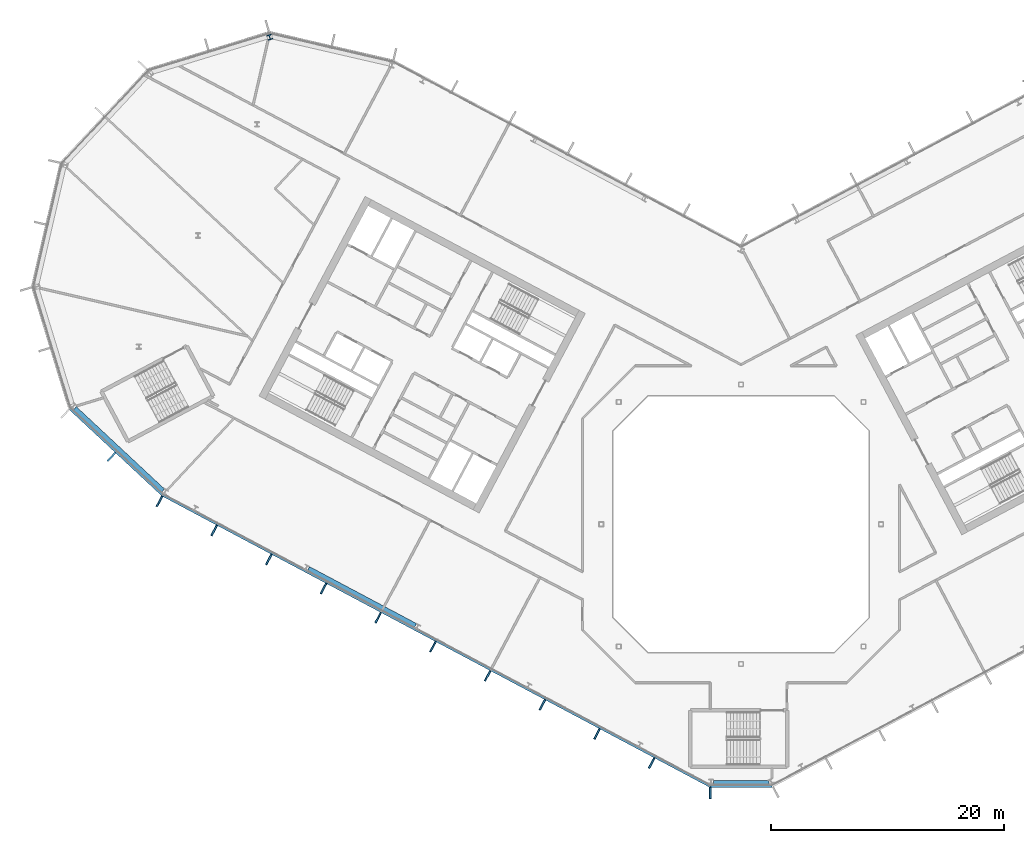
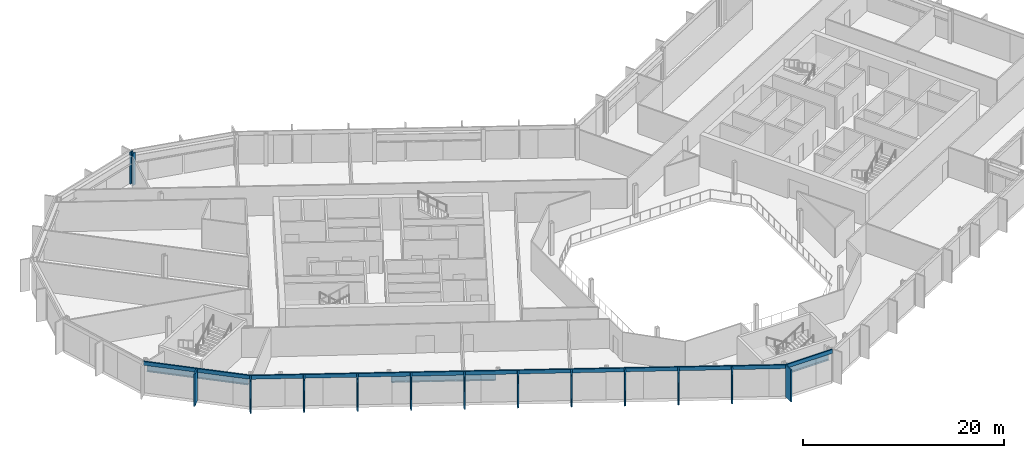
# One storey, part 8 of 27: 15 members, 3 beams, 1 column, 3 elements without a shape of their own.
"""IFC4 building model written with IfcOpenShell, lengths in metres."""

from ifc_helpers import new_model, si_unit, direction, frame, origin, origin_2d, place, context, subcontext, project, spatial, rectangle, i_section, extrude, material, layer, layer_set, material_profile, profile_set, type_object, element, aggregate, save


model = new_model("IFC4")

# Units and contexts
model_context = context("Model", 3, precision=1e-05, world=origin(), true_north=direction((0.0, 1.0)))
body_context = subcontext(model_context, "Body", "Model", "MODEL_VIEW")
ifc_project = project(units=[si_unit("LENGTHUNIT", "METRE"), si_unit("AREAUNIT", "SQUARE_METRE"), si_unit("VOLUMEUNIT", "CUBIC_METRE"), si_unit("PLANEANGLEUNIT", "RADIAN"), si_unit("MASSUNIT", "GRAM", prefix="KILO")], contexts=[model_context])

# Site, building, storey
site_placement = place(None, origin())
site = spatial("IfcSite", under=ifc_project, at=site_placement, CompositionType="ELEMENT")
building_placement = place(site_placement, origin())
building = spatial("IfcBuilding", under=site, at=building_placement, Name="Cormorant Relay Tower", CompositionType="ELEMENT")
storey_placement = place(building_placement, frame((0.0, 0.0, 216.89990234375)))
storey = spatial("IfcBuildingStorey", under=building, at=storey_placement, Name="L47", CompositionType="ELEMENT", Elevation=216.89990234375)

# Column
ifc_material_1 = material(Name="Steel ASTM A992 (Fy 345 MPa)", Category="steel")
ifc_material_profile_1 = material_profile(ifc_material_1, i_section(OverallWidth=0.41162109375, OverallDepth=0.434326171875, WebThickness=0.035888671875, FlangeThickness=0.057373046875, FilletRadius=0.01513671875, at=origin_2d()), Name="W360x463")
ifc_profile_set_1 = profile_set([ifc_material_profile_1], Name="Steel ASTM A992 (Fy 345 MPa)")
column_type = type_object("IfcColumnType", Name="Column W360x463", PredefinedType="COLUMN", material=ifc_profile_set_1)
column_placement = place(storey_placement, frame((-40.455078125, 41.803955078125, 0.0), z_axis=(0.0, 0.0, 1.0), x_axis=(-0.956304755963, -0.292371704723, 0.0)))
element("IfcColumn", 1, at=column_placement, inside=storey, type_object=column_type, Name="Column L47-045", PredefinedType="COLUMN", context=body_context, shape_type="SweptSolid", body=[
    extrude(i_section(OverallWidth=0.41162109375, OverallDepth=0.434326171875, WebThickness=0.035888671875, FlangeThickness=0.057373046875, FilletRadius=0.01513671875, at=origin_2d()), origin(), (0.0, 0.0, 1.0), 3.900146484375),
])

# Curtain wall, member
ifc_material_2 = material(Name="Aluminium 6063-T6 anodised bronze", Category="aluminium")
ifc_layer = layer(ifc_material_2, 0.199951171875)
ifc_layer_set = layer_set([ifc_layer], Name="CW1 unitised bronze curtain wall with vertical fins")
curtain_wall_type = type_object("IfcCurtainWallType", Name="CW1 unitised bronze curtain wall with vertical fins", PredefinedType="NOTDEFINED", material=ifc_layer_set)
curtain_wall_1_placement = place(storey_placement, origin())
curtain_wall_1 = element("IfcCurtainWall", 2, at=curtain_wall_1_placement, inside=storey, type_object=curtain_wall_type, Name="CW1 curtain wall 1", PredefinedType="NOTDEFINED")
ifc_material_3 = material(Name="Aluminium 6063-T6 anodised bronze", Category="aluminium")
ifc_material_profile_2 = material_profile(ifc_material_3, rectangle(XDim=0.14990234375, YDim=1.0, at=origin_2d()), Name="AL 150x1000")
ifc_profile_set_2 = profile_set([ifc_material_profile_2], Name="Aluminium 6063-T6 anodised bronze")
member_type_1 = type_object("IfcMemberType", Name="CW1 bronze fin mullion 150 x 1000", PredefinedType="MULLION", material=ifc_profile_set_2)
member_1_placement = place(storey_placement, frame((-2.648681640625, -23.07568359375, 0.0), z_axis=(0.0, 0.0, 1.0), x_axis=(1.0, 0.0, 0.0)))
member_1 = element("IfcMember", 3, at=member_1_placement, type_object=member_type_1, Name="CW1 fin 1.1", PredefinedType="MULLION", context=body_context, shape_type="SweptSolid", body=[
    extrude(rectangle(XDim=0.14990234375, YDim=1.0, at=origin_2d()), origin(), (0.0, 0.0, 1.0), 3.900146484375),
])

curtain_wall_2_placement = place(storey_placement, origin())
curtain_wall_2 = element("IfcCurtainWall", 4, at=curtain_wall_2_placement, inside=storey, type_object=curtain_wall_type, Name="CW1 curtain wall 15", PredefinedType="NOTDEFINED")
member_2_placement = place(storey_placement, frame((-54.0439453125, 5.779296875, 0.0), z_axis=(0.0, 0.0, 1.0), x_axis=(0.731353701619, -0.681998360062, 0.0)))
member_2 = element("IfcMember", 5, at=member_2_placement, type_object=member_type_1, Name="CW1 fin 15.2", PredefinedType="MULLION", context=body_context, shape_type="SweptSolid", body=[
    extrude(rectangle(XDim=0.14990234375, YDim=1.0, at=origin_2d()), origin(), (0.0, 0.0, 1.0), 3.900146484375),
])

# Curtain wall, members
curtain_wall_3_placement = place(storey_placement, origin())
curtain_wall_3 = element("IfcCurtainWall", 6, at=curtain_wall_3_placement, inside=storey, type_object=curtain_wall_type, Name="CW1 curtain wall 16", PredefinedType="NOTDEFINED")
member_3_placement = place(storey_placement, frame((-49.920166015625, 1.96630859375, 0.0), z_axis=(0.0, 0.0, 1.0), x_axis=(0.882947592859, -0.469471562786, 0.0)))
member_3 = element("IfcMember", 7, at=member_3_placement, type_object=member_type_1, Name="CW1 fin 16.1", PredefinedType="MULLION", context=body_context, shape_type="SweptSolid", body=[
    extrude(rectangle(XDim=0.14990234375, YDim=1.0, at=origin_2d()), origin(), (0.0, 0.0, 1.0), 3.900146484375),
])
member_4_placement = place(storey_placement, frame((-45.225830078125, -0.52978515625, 0.0), z_axis=(0.0, 0.0, 1.0), x_axis=(0.882947592859, -0.469471562786, 0.0)))
member_4 = element("IfcMember", 8, at=member_4_placement, type_object=member_type_1, Name="CW1 fin 16.2", PredefinedType="MULLION", context=body_context, shape_type="SweptSolid", body=[
    extrude(rectangle(XDim=0.14990234375, YDim=1.0, at=origin_2d()), origin(), (0.0, 0.0, 1.0), 3.900146484375),
])
member_5_placement = place(storey_placement, frame((-40.531494140625, -3.025634765625, 0.0), z_axis=(0.0, 0.0, 1.0), x_axis=(0.882947592859, -0.469471562786, 0.0)))
member_5 = element("IfcMember", 9, at=member_5_placement, type_object=member_type_1, Name="CW1 fin 16.3", PredefinedType="MULLION", context=body_context, shape_type="SweptSolid", body=[
    extrude(rectangle(XDim=0.14990234375, YDim=1.0, at=origin_2d()), origin(), (0.0, 0.0, 1.0), 3.900146484375),
])
member_6_placement = place(storey_placement, frame((-35.83740234375, -5.521728515625, 0.0), z_axis=(0.0, 0.0, 1.0), x_axis=(0.882947592859, -0.469471562786, 0.0)))
member_6 = element("IfcMember", 10, at=member_6_placement, type_object=member_type_1, Name="CW1 fin 16.4", PredefinedType="MULLION", context=body_context, shape_type="SweptSolid", body=[
    extrude(rectangle(XDim=0.14990234375, YDim=1.0, at=origin_2d()), origin(), (0.0, 0.0, 1.0), 3.900146484375),
])
member_7_placement = place(storey_placement, frame((-31.14306640625, -8.017578125, 0.0), z_axis=(0.0, 0.0, 1.0), x_axis=(0.882947592859, -0.469471562786, 0.0)))
member_7 = element("IfcMember", 11, at=member_7_placement, type_object=member_type_1, Name="CW1 fin 16.5", PredefinedType="MULLION", context=body_context, shape_type="SweptSolid", body=[
    extrude(rectangle(XDim=0.14990234375, YDim=1.0, at=origin_2d()), origin(), (0.0, 0.0, 1.0), 3.900146484375),
])
member_8_placement = place(storey_placement, frame((-26.44873046875, -10.513671875, 0.0), z_axis=(0.0, 0.0, 1.0), x_axis=(0.882947592859, -0.469471562786, 0.0)))
member_8 = element("IfcMember", 12, at=member_8_placement, type_object=member_type_1, Name="CW1 fin 16.6", PredefinedType="MULLION", context=body_context, shape_type="SweptSolid", body=[
    extrude(rectangle(XDim=0.14990234375, YDim=1.0, at=origin_2d()), origin(), (0.0, 0.0, 1.0), 3.900146484375),
])
member_9_placement = place(storey_placement, frame((-21.754638671875, -13.009765625, 0.0), z_axis=(0.0, 0.0, 1.0), x_axis=(0.882947592859, -0.469471562786, 0.0)))
member_9 = element("IfcMember", 13, at=member_9_placement, type_object=member_type_1, Name="CW1 fin 16.7", PredefinedType="MULLION", context=body_context, shape_type="SweptSolid", body=[
    extrude(rectangle(XDim=0.14990234375, YDim=1.0, at=origin_2d()), origin(), (0.0, 0.0, 1.0), 3.900146484375),
])
member_10_placement = place(storey_placement, frame((-17.060302734375, -15.505615234375, 0.0), z_axis=(0.0, 0.0, 1.0), x_axis=(0.882947592859, -0.469471562786, 0.0)))
member_10 = element("IfcMember", 14, at=member_10_placement, type_object=member_type_1, Name="CW1 fin 16.8", PredefinedType="MULLION", context=body_context, shape_type="SweptSolid", body=[
    extrude(rectangle(XDim=0.14990234375, YDim=1.0, at=origin_2d()), origin(), (0.0, 0.0, 1.0), 3.900146484375),
])
member_11_placement = place(storey_placement, frame((-12.365966796875, -18.001708984375, 0.0), z_axis=(0.0, 0.0, 1.0), x_axis=(0.882947592859, -0.469471562786, 0.0)))
member_11 = element("IfcMember", 15, at=member_11_placement, type_object=member_type_1, Name="CW1 fin 16.9", PredefinedType="MULLION", context=body_context, shape_type="SweptSolid", body=[
    extrude(rectangle(XDim=0.14990234375, YDim=1.0, at=origin_2d()), origin(), (0.0, 0.0, 1.0), 3.900146484375),
])
member_12_placement = place(storey_placement, frame((-7.671630859375, -20.49755859375, 0.0), z_axis=(0.0, 0.0, 1.0), x_axis=(0.882947592859, -0.469471562786, 0.0)))
member_12 = element("IfcMember", 16, at=member_12_placement, type_object=member_type_1, Name="CW1 fin 16.10", PredefinedType="MULLION", context=body_context, shape_type="SweptSolid", body=[
    extrude(rectangle(XDim=0.14990234375, YDim=1.0, at=origin_2d()), origin(), (0.0, 0.0, 1.0), 3.900146484375),
])

# Member
ifc_material_4 = material(Name="Aluminium 6063-T6 anodised bronze", Category="aluminium")
ifc_material_profile_3 = material_profile(ifc_material_4, rectangle(XDim=0.159912109375, YDim=0.449951171875, at=origin_2d()), Name="AL 160x450")
ifc_profile_set_3 = profile_set([ifc_material_profile_3], Name="Aluminium 6063-T6 anodised bronze")
member_type_2 = type_object("IfcMemberType", Name="CW1 bronze transom 160 x 450", PredefinedType="USERDEFINED", material=ifc_profile_set_3)
member_13_placement = place(storey_placement, frame((-2.648681640625, -22.49560546875, 3.675048828125), z_axis=(1.0, 0.0, 0.0), x_axis=(0.0, 1.0, 0.0)))
member_13 = element("IfcMember", 17, at=member_13_placement, type_object=member_type_2, Name="CW1 transom 1", ObjectType="TRANSOM", PredefinedType="USERDEFINED", context=body_context, shape_type="SweptSolid", body=[
    extrude(rectangle(XDim=0.159912109375, YDim=0.449951171875, at=origin_2d()), origin(), (0.0, 0.0, 1.0), 5.29736328125),
])

aggregate(curtain_wall_1, [member_1, member_13])

member_14_placement = place(storey_placement, frame((-57.62353515625, 9.91015625, 3.675048828125), z_axis=(0.731358420696, -0.681993299437, 0.0), x_axis=(0.681993299437, 0.731358420696, 0.0)))
member_14 = element("IfcMember", 18, at=member_14_placement, type_object=member_type_2, Name="CW1 transom 15", ObjectType="TRANSOM", PredefinedType="USERDEFINED", context=body_context, shape_type="SweptSolid", body=[
    extrude(rectangle(XDim=0.159912109375, YDim=0.449951171875, at=origin_2d()), origin(), (0.0, 0.0, 1.0), 10.870361328125),
])

aggregate(curtain_wall_2, [member_2, member_14])

member_15_placement = place(storey_placement, frame((-49.64794921875, 2.478515625, 3.675048828125), z_axis=(0.882947642542, -0.469471469346, 0.0), x_axis=(0.469471469346, 0.882947642542, 0.0)))
member_15 = element("IfcMember", 19, at=member_15_placement, type_object=member_type_2, Name="CW1 transom 16", ObjectType="TRANSOM", PredefinedType="USERDEFINED", context=body_context, shape_type="SweptSolid", body=[
    extrude(rectangle(XDim=0.159912109375, YDim=0.449951171875, at=origin_2d()), origin(), (0.0, 0.0, 1.0), 53.166015625),
])

aggregate(curtain_wall_3, [member_3, member_4, member_5, member_6, member_7, member_8, member_9, member_10, member_11, member_12, member_15])

# Beams
ifc_material_5 = material(Name="Steel ASTM A992 (Fy 345 MPa)", Category="steel")
ifc_material_profile_4 = material_profile(ifc_material_5, i_section(OverallWidth=0.4013671875, OverallDepth=0.990478515625, WebThickness=0.0166015625, FlangeThickness=0.031005859375, FilletRadius=0.030029296875, at=origin_2d()), Name="W1000x320")
ifc_profile_set_4 = profile_set([ifc_material_profile_4], Name="Steel ASTM A992 (Fy 345 MPa)")
beam_type = type_object("IfcBeamType", Name="Spandrel W1000x320", PredefinedType="SPANDREL", material=ifc_profile_set_4)
beam_1_placement = place(storey_placement, frame((-2.3701171875, -22.1748046875, 3.044677734375), z_axis=(1.0, 0.0, 0.0), x_axis=(0.0, 1.0, 0.0)))
element("IfcBeam", 20, at=beam_1_placement, inside=storey, type_object=beam_type, Name="Spandrel beam L47-001", PredefinedType="SPANDREL", context=body_context, shape_type="SweptSolid", body=[
    extrude(i_section(OverallWidth=0.4013671875, OverallDepth=0.990478515625, WebThickness=0.0166015625, FlangeThickness=0.031005859375, FilletRadius=0.030029296875, at=origin_2d()), origin(), (0.0, 0.0, 1.0), 4.761474609375),
])
beam_2_placement = place(storey_placement, frame((-57.19580078125, 9.94970703125, 3.044677734375), z_axis=(0.731351589689, -0.682000624824, 0.0), x_axis=(0.682000624824, 0.731351589689, 0.0)))
element("IfcBeam", 21, at=beam_2_placement, inside=storey, type_object=beam_type, Name="Spandrel beam L47-015", PredefinedType="SPANDREL", context=body_context, shape_type="SweptSolid", body=[
    extrude(i_section(OverallWidth=0.4013671875, OverallDepth=0.990478515625, WebThickness=0.0166015625, FlangeThickness=0.031005859375, FilletRadius=0.030029296875, at=origin_2d()), origin(), (0.0, 0.0, 1.0), 10.354248046875),
])
beam_3_placement = place(storey_placement, frame((-37.134033203125, -3.812255859375, 3.044677734375), z_axis=(0.882949648898, -0.469467695918, 0.0), x_axis=(0.469467695918, 0.882949648898, 0.0)))
element("IfcBeam", 22, at=beam_3_placement, inside=storey, type_object=beam_type, Name="Spandrel beam L47-016", PredefinedType="SPANDREL", context=body_context, shape_type="SweptSolid", body=[
    extrude(i_section(OverallWidth=0.4013671875, OverallDepth=0.990478515625, WebThickness=0.0166015625, FlangeThickness=0.031005859375, FilletRadius=0.030029296875, at=origin_2d()), origin(), (0.0, 0.0, 1.0), 10.39599609375),
])

save(model, "model.ifc")
